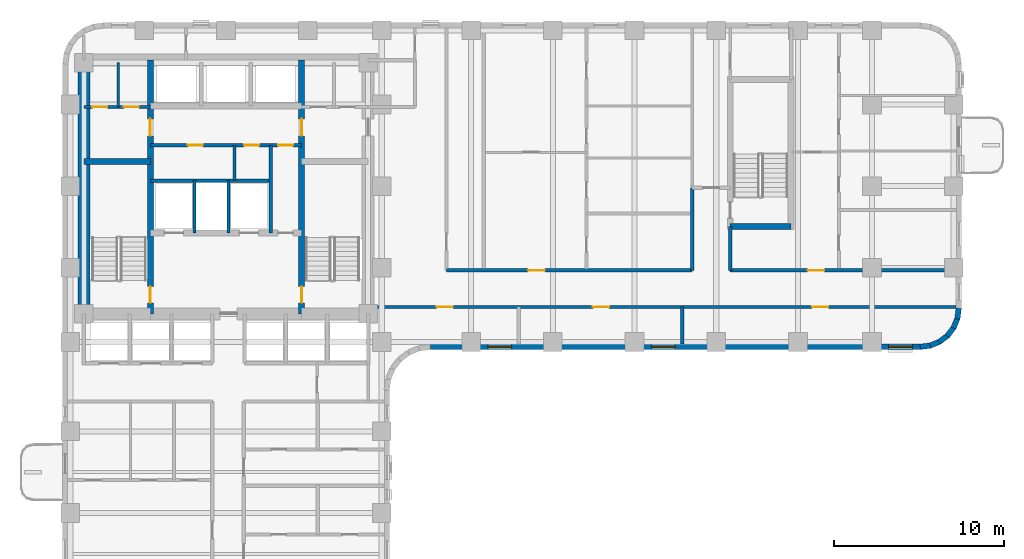
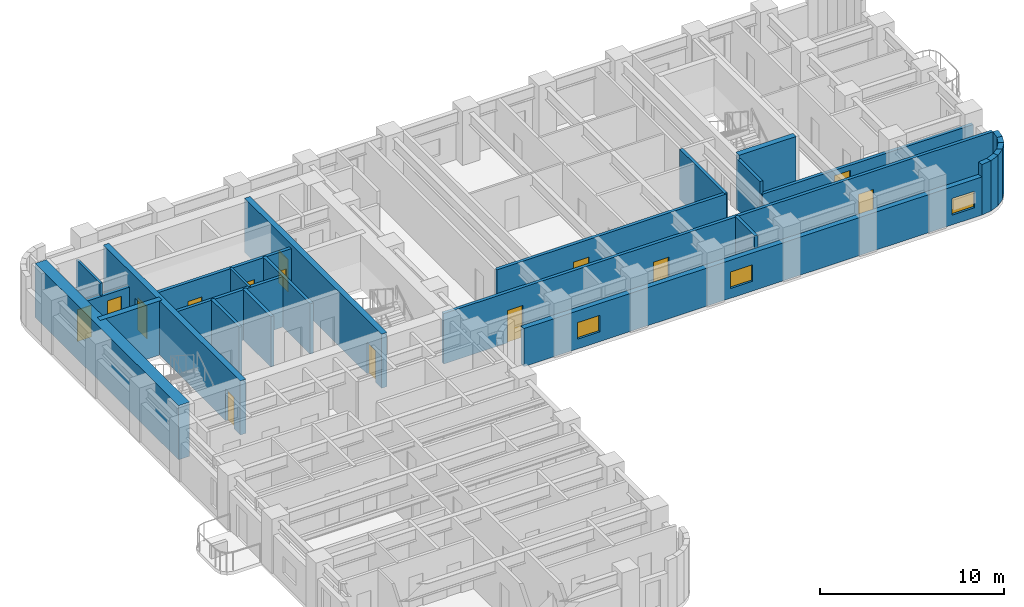
# One storey, part 5 of 12: 26 walls, 14 doors, 3 windows, 17 openings.
"""IFC4 building model written with IfcOpenShell, lengths in metres."""

from ifc_helpers import new_model, si_unit, direction, frame, frame_2d, origin, place, context, subcontext, project, spatial, rectangle, extrude, material, layer, layer_set, type_object, element, fill, save


model = new_model("IFC4")

# Units and contexts
model_context = context("Model", 3, precision=1e-05, world=origin(), true_north=direction((0.0, 1.0)))
body_context = subcontext(model_context, "Body", "Model", "MODEL_VIEW")
ifc_project = project(units=[si_unit("LENGTHUNIT", "METRE"), si_unit("AREAUNIT", "SQUARE_METRE"), si_unit("VOLUMEUNIT", "CUBIC_METRE"), si_unit("PLANEANGLEUNIT", "RADIAN"), si_unit("MASSUNIT", "GRAM", prefix="KILO")], contexts=[model_context])

# Site, building, storey
site_placement = place(None, origin())
site = spatial("IfcSite", under=ifc_project, at=site_placement, CompositionType="ELEMENT")
building_placement = place(site_placement, origin())
building = spatial("IfcBuilding", under=site, at=building_placement, Name="Orvandelia Arch Residences", CompositionType="ELEMENT")
storey_placement = place(building_placement, frame((0.0, 0.0, 57.39990234375)))
storey = spatial("IfcBuildingStorey", under=building, at=storey_placement, Name="L14", CompositionType="ELEMENT", Elevation=57.39990234375)

# Wall, openings, doors
ifc_material_1 = material(Name="Concrete C50/60", Category="concrete")
ifc_layer_1 = layer(ifc_material_1, 0.35009765625, Name="Concrete C50/60", Category="concrete")
ifc_layer_set_1 = layer_set([ifc_layer_1], Name="Concrete C50/60")
wall_type_1 = type_object("IfcWallType", Name="WL-CORE-350", PredefinedType="SHEAR", material=ifc_layer_set_1)
wall_1_placement = place(storey_placement, frame((9.9599609375, 30.89990234375, 0.0), z_axis=(0.0, 0.0, 1.0), x_axis=(0.0, 1.0, 0.0)))
wall_1 = element("IfcWall", 1, at=wall_1_placement, inside=storey, type_object=wall_type_1, Name="Core Shear Wall L14-WEB1", PredefinedType="SHEAR", context=body_context, shape_type="SweptSolid", body=[
    extrude(rectangle(XDim=14.900146484375, YDim=0.35009765625, at=frame_2d((7.4501953125, 0.0))), origin(), (0.0, 0.0, 1.0), 3.60009765625),
])
opening_1_placement = place(wall_1_placement, frame((0.64990234375, 0.0, 0.0)))
opening_1 = element("IfcOpeningElement", 2, at=opening_1_placement, cuts=wall_1, Name="Opening D7", PredefinedType="OPENING", context=body_context, shape_type="SweptSolid", body=[
    extrude(rectangle(XDim=0.949951171875, YDim=2.10009765625, at=frame_2d((0.47509765625, 1.050048828125))), frame((0.0, 0.18505859375, 0.0), z_axis=(0.0, -1.0, 0.0), x_axis=(1.0, 0.0, 0.0)), (0.0, 0.0, 1.0), 0.3701171875),
])
opening_2_placement = place(wall_1_placement, frame((10.449951171875, 0.0, 0.0)))
opening_2 = element("IfcOpeningElement", 3, at=opening_2_placement, cuts=wall_1, Name="Opening D6", PredefinedType="OPENING", context=body_context, shape_type="SweptSolid", body=[
    extrude(rectangle(XDim=1.0, YDim=2.14990234375, at=frame_2d((0.5, 1.074951171875))), frame((0.0, 0.18505859375, 0.0), z_axis=(0.0, -1.0, 0.0), x_axis=(1.0, 0.0, 0.0)), (0.0, 0.0, 1.0), 0.3701171875),
])
ifc_material_2 = material(Name="Smokeproof Painted Steel Fire Door", Category="steel")
door_type_1 = type_object("IfcDoorType", Name="DR-FD60-1000", OperationType="NOTDEFINED", PredefinedType="DOOR", material=ifc_material_2)
door_1_placement = place(opening_2_placement, origin())
door_1 = element("IfcDoor", 4, at=door_1_placement, inside=storey, type_object=door_type_1, Name="High-Rise Lift Hall West Vestibule Door L14", OperationType="SINGLE_SWING_LEFT", OverallHeight=2.14990234375, OverallWidth=1.0, PredefinedType="DOOR", context=body_context, shape_type="SweptSolid", body=[
    extrude(rectangle(XDim=1.0, YDim=2.14990234375, at=frame_2d((0.5, 1.074951171875))), frame((0.0, 0.02490234375, 0.0), z_axis=(0.0, -1.0, 0.0), x_axis=(1.0, 0.0, 0.0)), (0.0, 0.0, 1.0), 0.050048828125),
])
fill(opening_2, door_1)
ifc_material_3 = material(Name="Pressurised Stairwell Fire Door")
door_type_2 = type_object("IfcDoorType", Name="DR-STAIR-950", OperationType="NOTDEFINED", PredefinedType="DOOR", material=ifc_material_3)
door_2_placement = place(opening_1_placement, origin())
door_2 = element("IfcDoor", 5, at=door_2_placement, inside=storey, type_object=door_type_2, Name="Stairwell ST-1 Fire Door L14", OperationType="SINGLE_SWING_LEFT", OverallHeight=2.10009765625, OverallWidth=0.949951171875, PredefinedType="DOOR", context=body_context, shape_type="SweptSolid", body=[
    extrude(rectangle(XDim=0.949951171875, YDim=2.10009765625, at=frame_2d((0.47509765625, 1.050048828125))), frame((0.0, 0.02490234375, 0.0), z_axis=(0.0, -1.0, 0.0), x_axis=(1.0, 0.0, 0.0)), (0.0, 0.0, 1.0), 0.050048828125),
])
fill(opening_1, door_2)

wall_2_placement = place(storey_placement, frame((18.840087890625, 30.89990234375, 0.0), z_axis=(0.0, 0.0, 1.0), x_axis=(0.0, 1.0, 0.0)))
wall_2 = element("IfcWall", 6, at=wall_2_placement, inside=storey, type_object=wall_type_1, Name="Core Shear Wall L14-WEB2", PredefinedType="SHEAR", context=body_context, shape_type="SweptSolid", body=[
    extrude(rectangle(XDim=14.900146484375, YDim=0.35009765625, at=frame_2d((7.4501953125, 0.0))), origin(), (0.0, 0.0, 1.0), 3.60009765625),
])
opening_3_placement = place(wall_2_placement, frame((0.64990234375, 0.0, 0.0)))
opening_3 = element("IfcOpeningElement", 7, at=opening_3_placement, cuts=wall_2, Name="Opening D7", PredefinedType="OPENING", context=body_context, shape_type="SweptSolid", body=[
    extrude(rectangle(XDim=0.949951171875, YDim=2.10009765625, at=frame_2d((0.47509765625, 1.050048828125))), frame((0.0, 0.18505859375, 0.0), z_axis=(0.0, -1.0, 0.0), x_axis=(1.0, 0.0, 0.0)), (0.0, 0.0, 1.0), 0.3701171875),
])
opening_4_placement = place(wall_2_placement, frame((10.449951171875, 0.0, 0.0)))
opening_4 = element("IfcOpeningElement", 8, at=opening_4_placement, cuts=wall_2, Name="Opening D6", PredefinedType="OPENING", context=body_context, shape_type="SweptSolid", body=[
    extrude(rectangle(XDim=1.0, YDim=2.14990234375, at=frame_2d((0.5, 1.074951171875))), frame((0.0, 0.18505859375, 0.0), z_axis=(0.0, -1.0, 0.0), x_axis=(1.0, 0.0, 0.0)), (0.0, 0.0, 1.0), 0.3701171875),
])
door_3_placement = place(opening_4_placement, origin())
door_3 = element("IfcDoor", 9, at=door_3_placement, inside=storey, type_object=door_type_1, Name="High-Rise Lift Hall East Vestibule Door L14", OperationType="SINGLE_SWING_RIGHT", OverallHeight=2.14990234375, OverallWidth=1.0, PredefinedType="DOOR", context=body_context, shape_type="SweptSolid", body=[
    extrude(rectangle(XDim=1.0, YDim=2.14990234375, at=frame_2d((0.5, 1.074951171875))), frame((0.0, 0.02490234375, 0.0), z_axis=(0.0, -1.0, 0.0), x_axis=(1.0, 0.0, 0.0)), (0.0, 0.0, 1.0), 0.050048828125),
])
fill(opening_4, door_3)
door_4_placement = place(opening_3_placement, origin())
door_4 = element("IfcDoor", 10, at=door_4_placement, inside=storey, type_object=door_type_2, Name="Stairwell ST-2 Fire Door L14", OperationType="SINGLE_SWING_RIGHT", OverallHeight=2.10009765625, OverallWidth=0.949951171875, PredefinedType="DOOR", context=body_context, shape_type="SweptSolid", body=[
    extrude(rectangle(XDim=0.949951171875, YDim=2.10009765625, at=frame_2d((0.47509765625, 1.050048828125))), frame((0.0, 0.02490234375, 0.0), z_axis=(0.0, -1.0, 0.0), x_axis=(1.0, 0.0, 0.0)), (0.0, 0.0, 1.0), 0.050048828125),
])
fill(opening_3, door_4)

# Walls
wall_3_placement = place(storey_placement, frame((6.050048828125, 39.85009765625, 0.0), z_axis=(0.0, 0.0, 1.0), x_axis=(1.0, 0.0, 0.0)))
element("IfcWall", 11, at=wall_3_placement, inside=storey, type_object=wall_type_1, Name="Core Shear Wall L14-HZ1", PredefinedType="SHEAR", context=body_context, shape_type="SweptSolid", body=[
    extrude(rectangle(XDim=3.909912109375, YDim=0.35009765625, at=frame_2d((1.955078125, 0.0))), origin(), (0.0, 0.0, 1.0), 3.60009765625),
])
wall_4_placement = place(storey_placement, frame((44.02001953125, 36.0400390625, 0.0), z_axis=(0.0, 0.0, 1.0), x_axis=(1.0, 0.0, 0.0)))
element("IfcWall", 12, at=wall_4_placement, inside=storey, type_object=wall_type_1, Name="East Stair Core Shear Wall L14-S", PredefinedType="SHEAR", context=body_context, shape_type="SweptSolid", body=[
    extrude(rectangle(XDim=3.580078125, YDim=0.35009765625, at=frame_2d((1.7900390625, 0.0))), origin(), (0.0, 0.0, 1.0), 3.60009765625),
])
ifc_material_4 = material(Name="Concrete C80/95", Category="concrete")
ifc_layer_2 = layer(ifc_material_4, 0.699951171875, Name="Concrete C80/95", Category="concrete")
ifc_layer_set_2 = layer_set([ifc_layer_2], Name="Concrete C80/95")
wall_type_2 = type_object("IfcWallType", Name="WL-CORE-700", PredefinedType="SHEAR", material=ifc_layer_set_2)
wall_5_placement = place(storey_placement, frame((6.050048828125, 30.550048828125, 0.0), z_axis=(0.0, 0.0, 1.0), x_axis=(0.0, 1.0, 0.0)))
element("IfcWall", 13, at=wall_5_placement, inside=storey, type_object=wall_type_2, Name="Core Shear Wall L14-W", PredefinedType="SHEAR", context=body_context, shape_type="SweptSolid", body=[
    extrude(rectangle(XDim=15.599853515625, YDim=0.699951171875, at=frame_2d((7.7998046875, 0.0))), origin(), (0.0, 0.0, 1.0), 3.60009765625),
])

# Wall, openings, doors
ifc_material_5 = material(Name="Fire-Rated Corridor Partition")
ifc_layer_3 = layer(ifc_material_5, 0.199951171875, Name="Fire-Rated Corridor Partition")
ifc_layer_set_3 = layer_set([ifc_layer_3], Name="Fire-Rated Corridor Partition")
wall_type_3 = type_object("IfcWallType", Name="WL-CORR-200", PredefinedType="PARTITIONING", material=ifc_layer_set_3)
wall_6_placement = place(storey_placement, frame((22.75, 31.300048828125, 0.0), z_axis=(0.0, 0.0, 1.0), x_axis=(1.0, 0.0, 0.0)))
wall_6 = element("IfcWall", 14, at=wall_6_placement, inside=storey, type_object=wall_type_3, Name="Interior Partition Wall WL-L14-ES-S", PredefinedType="PARTITIONING", context=body_context, shape_type="SweptSolid", body=[
    extrude(rectangle(XDim=34.530029296875, YDim=0.199951171875, at=frame_2d((17.26513671875, 0.0))), origin(), (0.0, 0.0, 1.0), 3.35009765625),
])
opening_5_placement = place(wall_6_placement, frame((4.02490234375, 0.0, 0.0)))
opening_5 = element("IfcOpeningElement", 15, at=opening_5_placement, cuts=wall_6, Name="Opening D2", PredefinedType="OPENING", context=body_context, shape_type="SweptSolid", body=[
    extrude(rectangle(XDim=0.949951171875, YDim=2.14990234375, at=frame_2d((0.47509765625, 1.074951171875))), frame((0.0, 0.10986328125, 0.0), z_axis=(0.0, -1.0, 0.0), x_axis=(1.0, 0.0, 0.0)), (0.0, 0.0, 1.0), 0.219970703125),
])
opening_6_placement = place(wall_6_placement, frame((13.199951171875, 0.0, 0.0)))
opening_6 = element("IfcOpeningElement", 16, at=opening_6_placement, cuts=wall_6, Name="Opening D2", PredefinedType="OPENING", context=body_context, shape_type="SweptSolid", body=[
    extrude(rectangle(XDim=0.949951171875, YDim=2.14990234375, at=frame_2d((0.47509765625, 1.074951171875))), frame((0.0, 0.10986328125, 0.0), z_axis=(0.0, -1.0, 0.0), x_axis=(1.0, 0.0, 0.0)), (0.0, 0.0, 1.0), 0.219970703125),
])
opening_7_placement = place(wall_6_placement, frame((26.080078125, 0.0, 0.0)))
opening_7 = element("IfcOpeningElement", 17, at=opening_7_placement, cuts=wall_6, Name="Opening D2", PredefinedType="OPENING", context=body_context, shape_type="SweptSolid", body=[
    extrude(rectangle(XDim=0.949951171875, YDim=2.14990234375, at=frame_2d((0.47509765625, 1.074951171875))), frame((0.0, 0.10986328125, 0.0), z_axis=(0.0, -1.0, 0.0), x_axis=(1.0, 0.0, 0.0)), (0.0, 0.0, 1.0), 0.219970703125),
])
ifc_material_6 = material(Name="Solid-Core Timber Interior Fire Door", Category="wood")
door_type_3 = type_object("IfcDoorType", Name="DR-APT-950", OperationType="NOTDEFINED", PredefinedType="DOOR", material=ifc_material_6)
door_5_placement = place(opening_5_placement, origin())
door_5 = element("IfcDoor", 18, at=door_5_placement, inside=storey, type_object=door_type_3, Name="DR-L14-ESS-1", OperationType="SINGLE_SWING_LEFT", OverallHeight=2.14990234375, OverallWidth=0.949951171875, PredefinedType="DOOR", context=body_context, shape_type="SweptSolid", body=[
    extrude(rectangle(XDim=0.949951171875, YDim=2.14990234375, at=frame_2d((0.47509765625, 1.074951171875))), frame((0.0, 0.02490234375, 0.0), z_axis=(0.0, -1.0, 0.0), x_axis=(1.0, 0.0, 0.0)), (0.0, 0.0, 1.0), 0.050048828125),
])
fill(opening_5, door_5)
door_6_placement = place(opening_6_placement, origin())
door_6 = element("IfcDoor", 19, at=door_6_placement, inside=storey, type_object=door_type_3, Name="DR-L14-ESS-2", OperationType="SINGLE_SWING_RIGHT", OverallHeight=2.14990234375, OverallWidth=0.949951171875, PredefinedType="DOOR", context=body_context, shape_type="SweptSolid", body=[
    extrude(rectangle(XDim=0.949951171875, YDim=2.14990234375, at=frame_2d((0.47509765625, 1.074951171875))), frame((0.0, 0.02490234375, 0.0), z_axis=(0.0, -1.0, 0.0), x_axis=(1.0, 0.0, 0.0)), (0.0, 0.0, 1.0), 0.050048828125),
])
fill(opening_6, door_6)
door_7_placement = place(opening_7_placement, origin())
door_7 = element("IfcDoor", 20, at=door_7_placement, inside=storey, type_object=door_type_3, Name="DR-L14-ESS-3", OperationType="SINGLE_SWING_LEFT", OverallHeight=2.14990234375, OverallWidth=0.949951171875, PredefinedType="DOOR", context=body_context, shape_type="SweptSolid", body=[
    extrude(rectangle(XDim=0.949951171875, YDim=2.14990234375, at=frame_2d((0.47509765625, 1.074951171875))), frame((0.0, 0.02490234375, 0.0), z_axis=(0.0, -1.0, 0.0), x_axis=(1.0, 0.0, 0.0)), (0.0, 0.0, 1.0), 0.050048828125),
])
fill(opening_7, door_7)

# Wall, opening, door
wall_7_placement = place(storey_placement, frame((27.35009765625, 33.449951171875, 0.0), z_axis=(0.0, 0.0, 1.0), x_axis=(1.0, 0.0, 0.0)))
wall_7 = element("IfcWall", 21, at=wall_7_placement, inside=storey, type_object=wall_type_3, Name="Interior Partition Wall WL-L14-ES-N1", PredefinedType="PARTITIONING", context=body_context, shape_type="SweptSolid", body=[
    extrude(rectangle(XDim=14.429931640625, YDim=0.199951171875, at=frame_2d((7.21484375, 0.0))), origin(), (0.0, 0.0, 1.0), 3.35009765625),
])
opening_8_placement = place(wall_7_placement, frame((4.803466796875, 0.0, 0.0)))
opening_8 = element("IfcOpeningElement", 22, at=opening_8_placement, cuts=wall_7, Name="Opening D1", PredefinedType="OPENING", context=body_context, shape_type="SweptSolid", body=[
    extrude(rectangle(XDim=0.97998046875, YDim=2.179931640625, at=frame_2d((0.489990234375, 1.08984375))), frame((0.0, 0.10986328125, 0.0), z_axis=(0.0, -1.0, 0.0), x_axis=(1.0, 0.0, 0.0)), (0.0, 0.0, 1.0), 0.219970703125),
])
ifc_material_7 = material(Name="Solid-Core Timber Acoustic Fire Door", Category="wood")
door_type_4 = type_object("IfcDoorType", Name="DR-ENT-980", OperationType="NOTDEFINED", PredefinedType="DOOR", material=ifc_material_7)
door_8_placement = place(opening_8_placement, origin())
door_8 = element("IfcDoor", 23, at=door_8_placement, inside=storey, type_object=door_type_4, Name="Unit L14-07 Entrance Door", OperationType="SINGLE_SWING_LEFT", OverallHeight=2.179931640625, OverallWidth=0.97998046875, PredefinedType="DOOR", context=body_context, shape_type="SweptSolid", body=[
    extrude(rectangle(XDim=0.97998046875, YDim=2.179931640625, at=frame_2d((0.489990234375, 1.08984375))), frame((0.0, 0.02490234375, 0.0), z_axis=(0.0, -1.0, 0.0), x_axis=(1.0, 0.0, 0.0)), (0.0, 0.0, 1.0), 0.050048828125),
])
fill(opening_8, door_8)

wall_8_placement = place(storey_placement, frame((44.02001953125, 33.449951171875, 0.0), z_axis=(0.0, 0.0, 1.0), x_axis=(1.0, 0.0, 0.0)))
wall_8 = element("IfcWall", 24, at=wall_8_placement, inside=storey, type_object=wall_type_3, Name="Interior Partition Wall WL-L14-ES-N2", PredefinedType="PARTITIONING", context=body_context, shape_type="SweptSolid", body=[
    extrude(rectangle(XDim=13.260009765625, YDim=0.199951171875, at=frame_2d((6.6298828125, 0.0))), origin(), (0.0, 0.0, 1.0), 2.530029296875),
])
opening_9_placement = place(wall_8_placement, frame((4.548583984375, 0.0, 0.0)))
opening_9 = element("IfcOpeningElement", 25, at=opening_9_placement, cuts=wall_8, Name="Opening D1", PredefinedType="OPENING", context=body_context, shape_type="SweptSolid", body=[
    extrude(rectangle(XDim=0.97998046875, YDim=2.179931640625, at=frame_2d((0.489990234375, 1.08984375))), frame((0.0, 0.10986328125, 0.0), z_axis=(0.0, -1.0, 0.0), x_axis=(1.0, 0.0, 0.0)), (0.0, 0.0, 1.0), 0.219970703125),
])
door_9_placement = place(opening_9_placement, origin())
door_9 = element("IfcDoor", 26, at=door_9_placement, inside=storey, type_object=door_type_4, Name="Unit L14-08 Entrance Door", OperationType="SINGLE_SWING_RIGHT", OverallHeight=2.179931640625, OverallWidth=0.97998046875, PredefinedType="DOOR", context=body_context, shape_type="SweptSolid", body=[
    extrude(rectangle(XDim=0.97998046875, YDim=2.179931640625, at=frame_2d((0.489990234375, 1.08984375))), frame((0.0, 0.02490234375, 0.0), z_axis=(0.0, -1.0, 0.0), x_axis=(1.0, 0.0, 0.0)), (0.0, 0.0, 1.0), 0.050048828125),
])
fill(opening_9, door_9)

# Walls
wall_9_placement = place(storey_placement, frame((41.780029296875, 33.449951171875, 0.0), z_axis=(0.0, 0.0, 1.0), x_axis=(0.0, 1.0, 0.0)))
element("IfcWall", 27, at=wall_9_placement, inside=storey, type_object=wall_type_3, Name="Interior Partition Wall WL-L14-ES-SW", PredefinedType="PARTITIONING", context=body_context, shape_type="SweptSolid", body=[
    extrude(rectangle(XDim=4.85009765625, YDim=0.199951171875, at=frame_2d((2.425048828125, 0.0))), origin(), (0.0, 0.0, 1.0), 3.35009765625),
])
ifc_material_8 = material(Name="Concrete C40/50", Category="concrete")
ifc_layer_4 = layer(ifc_material_8, 0.199951171875, Name="Concrete C40/50", Category="concrete")
ifc_layer_set_4 = layer_set([ifc_layer_4], Name="Concrete C40/50")
wall_type_4 = type_object("IfcWallType", Name="WL-DEM-200", PredefinedType="SOLIDWALL", material=ifc_layer_set_4)
wall_10_placement = place(storey_placement, frame((41.199951171875, 29.1201171875, 0.0), z_axis=(0.0, 0.0, 1.0), x_axis=(0.0, 1.0, 0.0)))
element("IfcWall", 28, at=wall_10_placement, inside=storey, type_object=wall_type_4, Name="Interior Partition Wall WL-L14-ESSD-2", PredefinedType="SOLIDWALL", context=body_context, shape_type="SweptSolid", body=[
    extrude(rectangle(XDim=2.179931640625, YDim=0.199951171875, at=frame_2d((1.08984375, 0.0))), origin(), (0.0, 0.0, 1.0), 3.35009765625),
])
wall_11_placement = place(storey_placement, frame((44.02001953125, 33.449951171875, 0.0), z_axis=(0.0, 0.0, 1.0), x_axis=(0.0, 1.0, 0.0)))
element("IfcWall", 29, at=wall_11_placement, inside=storey, type_object=wall_type_4, Name="Interior Partition Wall WL-L14-ES-NST3S", PredefinedType="SOLIDWALL", context=body_context, shape_type="SweptSolid", body=[
    extrude(rectangle(XDim=2.590087890625, YDim=0.199951171875, at=frame_2d((1.294921875, 0.0))), origin(), (0.0, 0.0, 1.0), 3.35009765625),
])
ifc_material_9 = material(Name="Precast concrete C40/50", Category="concrete")
ifc_layer_5 = layer(ifc_material_9, 0.320068359375, Name="Precast concrete C40/50", Category="concrete")
ifc_layer_set_5 = layer_set([ifc_layer_5], Name="Precast concrete C40/50")
wall_type_5 = type_object("IfcWallType", Name="WL-EXT-STONE-320", PredefinedType="STANDARD", material=ifc_layer_set_5)
wall_12_placement = place(storey_placement, frame((57.44140625, 31.220947265625, 0.0), z_axis=(0.0, 0.0, 1.0), x_axis=(-0.130504898859, -0.991447664465, 0.0)))
element("IfcWall", 30, at=wall_12_placement, inside=storey, type_object=wall_type_5, Name="Coral-Limestone Precast Facade Wall L14-015", PredefinedType="STANDARD", context=body_context, shape_type="SweptSolid", body=[
    extrude(rectangle(XDim=0.626708984375, YDim=0.320068359375, at=frame_2d((0.3134765625, 0.0))), origin(), (0.0, 0.0, 1.0), 3.35009765625),
])
wall_13_placement = place(storey_placement, frame((57.370361328125, 30.639892578125, 0.0), z_axis=(0.0, 0.0, 1.0), x_axis=(-0.382787856107, -0.923836271867, 0.0)))
element("IfcWall", 31, at=wall_13_placement, inside=storey, type_object=wall_type_5, Name="Coral-Limestone Precast Facade Wall L14-016", PredefinedType="STANDARD", context=body_context, shape_type="SweptSolid", body=[
    extrude(rectangle(XDim=0.626220703125, YDim=0.320068359375, at=frame_2d((0.31298828125, 0.0))), origin(), (0.0, 0.0, 1.0), 3.35009765625),
])
wall_14_placement = place(storey_placement, frame((57.151611328125, 30.097412109375, 0.0), z_axis=(0.0, 0.0, 1.0), x_axis=(-0.608693302629, -0.793405610854, 0.0)))
element("IfcWall", 32, at=wall_14_placement, inside=storey, type_object=wall_type_5, Name="Coral-Limestone Precast Facade Wall L14-017", PredefinedType="STANDARD", context=body_context, shape_type="SweptSolid", body=[
    extrude(rectangle(XDim=0.62646484375, YDim=0.320068359375, at=frame_2d((0.313232421875, 0.0))), origin(), (0.0, 0.0, 1.0), 3.35009765625),
])
wall_15_placement = place(storey_placement, frame((56.7998046875, 29.6298828125, 0.0), z_axis=(0.0, 0.0, 1.0), x_axis=(-0.793361818833, -0.608750379399, 0.0)))
element("IfcWall", 33, at=wall_15_placement, inside=storey, type_object=wall_type_5, Name="Coral-Limestone Precast Facade Wall L14-018", PredefinedType="STANDARD", context=body_context, shape_type="SweptSolid", body=[
    extrude(rectangle(XDim=0.626953125, YDim=0.320068359375, at=frame_2d((0.3134765625, 0.0))), origin(), (0.0, 0.0, 1.0), 3.35009765625),
])
for number, where, z_axis, x_axis, name in (
    (34, (56.3388671875, 29.269287109375, 0.0), (0.0, 0.0, 1.0), (-0.92389335771, -0.382650053678, 0.0), "Coral-Limestone Precast Facade Wall L14-019"),
    (35, (55.80029296875, 29.040283203125, 0.0), (0.0, 0.0, 1.0), (-0.9914410257, -0.130555323746, 0.0), "Coral-Limestone Precast Facade Wall L14-020"),
):
    element("IfcWall", number, at=place(storey_placement, frame(where, z_axis=z_axis, x_axis=x_axis)), inside=storey, type_object=wall_type_5, Name=name, PredefinedType="STANDARD", context=body_context, shape_type="SweptSolid", body=[
        extrude(rectangle(XDim=0.62646484375, YDim=0.320068359375, at=frame_2d((0.313232421875, 0.0))), origin(), (0.0, 0.0, 1.0), 3.35009765625),
    ])

# Wall, openings, windows
wall_16_placement = place(storey_placement, frame((55.199951171875, 28.9599609375, 0.0), z_axis=(0.0, 0.0, 1.0), x_axis=(-1.0, 0.0, 0.0)))
wall_16 = element("IfcWall", 36, at=wall_16_placement, inside=storey, type_object=wall_type_5, Name="Coral-Limestone Precast Facade Wall L14-021", PredefinedType="STANDARD", context=body_context, shape_type="SweptSolid", body=[
    extrude(rectangle(XDim=28.800048828125, YDim=0.320068359375, at=frame_2d((14.39990234375, 0.0))), origin(), (0.0, 0.0, 1.0), 2.530029296875),
])
opening_10_placement = place(wall_16_placement, frame((24.014892578125, 0.0, 0.64990234375)))
opening_10 = element("IfcOpeningElement", 37, at=opening_10_placement, cuts=wall_16, Name="Opening W10", PredefinedType="OPENING", context=body_context, shape_type="SweptSolid", body=[
    extrude(rectangle(XDim=1.39990234375, YDim=1.10009765625, at=frame_2d((0.699951171875, 0.550048828125))), frame((0.0, 0.169921875, 0.0), z_axis=(0.0, -1.0, 0.0), x_axis=(1.0, 0.0, 0.0)), (0.0, 0.0, 1.0), 0.340087890625),
])
opening_11_placement = place(wall_16_placement, frame((14.4150390625, 0.0, 0.64990234375)))
opening_11 = element("IfcOpeningElement", 38, at=opening_11_placement, cuts=wall_16, Name="Opening W10", PredefinedType="OPENING", context=body_context, shape_type="SweptSolid", body=[
    extrude(rectangle(XDim=1.39990234375, YDim=1.10009765625, at=frame_2d((0.699951171875, 0.550048828125))), frame((0.0, 0.169921875, 0.0), z_axis=(0.0, -1.0, 0.0), x_axis=(1.0, 0.0, 0.0)), (0.0, 0.0, 1.0), 0.340087890625),
])
opening_12_placement = place(wall_16_placement, frame((0.469970703125, 0.0, 0.64990234375)))
opening_12 = element("IfcOpeningElement", 39, at=opening_12_placement, cuts=wall_16, Name="Opening W10", PredefinedType="OPENING", context=body_context, shape_type="SweptSolid", body=[
    extrude(rectangle(XDim=1.39990234375, YDim=1.10009765625, at=frame_2d((0.699951171875, 0.550048828125))), frame((0.0, 0.169921875, 0.0), z_axis=(0.0, -1.0, 0.0), x_axis=(1.0, 0.0, 0.0)), (0.0, 0.0, 1.0), 0.340087890625),
])
ifc_material_10 = material(Name="Tempered Low-E Insulated Glazing", Category="glass")
window_type = type_object("IfcWindowType", Name="WIN-CLR-1400x1100", PartitioningType="SINGLE_PANEL", PredefinedType="WINDOW", material=ifc_material_10)
window_1_placement = place(opening_10_placement, origin())
window_1 = element("IfcWindow", 40, at=window_1_placement, inside=storey, type_object=window_type, Name="Recessed Punched Window L14-013", OverallHeight=1.10009765625, OverallWidth=1.39990234375, PartitioningType="SINGLE_PANEL", PredefinedType="WINDOW", context=body_context, shape_type="SweptSolid", body=[
    extrude(rectangle(XDim=1.39990234375, YDim=1.10009765625, at=frame_2d((0.699951171875, 0.550048828125))), frame((0.0, 0.030029296875, 0.0), z_axis=(0.0, -1.0, 0.0), x_axis=(1.0, 0.0, 0.0)), (0.0, 0.0, 1.0), 0.06005859375),
])
fill(opening_10, window_1)
window_2_placement = place(opening_11_placement, origin())
window_2 = element("IfcWindow", 41, at=window_2_placement, inside=storey, type_object=window_type, Name="Recessed Punched Window L14-014", OverallHeight=1.10009765625, OverallWidth=1.39990234375, PartitioningType="SINGLE_PANEL", PredefinedType="WINDOW", context=body_context, shape_type="SweptSolid", body=[
    extrude(rectangle(XDim=1.39990234375, YDim=1.10009765625, at=frame_2d((0.699951171875, 0.550048828125))), frame((0.0, 0.030029296875, 0.0), z_axis=(0.0, -1.0, 0.0), x_axis=(1.0, 0.0, 0.0)), (0.0, 0.0, 1.0), 0.06005859375),
])
fill(opening_11, window_2)
window_3_placement = place(opening_12_placement, origin())
window_3 = element("IfcWindow", 42, at=window_3_placement, inside=storey, type_object=window_type, Name="Recessed Punched Window L14-015", OverallHeight=1.10009765625, OverallWidth=1.39990234375, PartitioningType="SINGLE_PANEL", PredefinedType="WINDOW", context=body_context, shape_type="SweptSolid", body=[
    extrude(rectangle(XDim=1.39990234375, YDim=1.10009765625, at=frame_2d((0.699951171875, 0.550048828125))), frame((0.0, 0.030029296875, 0.0), z_axis=(0.0, -1.0, 0.0), x_axis=(1.0, 0.0, 0.0)), (0.0, 0.0, 1.0), 0.06005859375),
])
fill(opening_12, window_3)

# Walls
ifc_material_11 = material(Name="Acoustic Gypsum Stud Partition")
ifc_layer_6 = layer(ifc_material_11, 0.14990234375, Name="Acoustic Gypsum Stud Partition")
ifc_layer_set_6 = layer_set([ifc_layer_6], Name="Acoustic Gypsum Stud Partition")
wall_type_6 = type_object("IfcWallType", Name="WL-PART-150", PredefinedType="PARTITIONING", material=ifc_layer_set_6)
wall_17_placement = place(storey_placement, frame((8.06005859375, 43.050048828125, 0.0), z_axis=(0.0, 0.0, 1.0), x_axis=(0.0, 1.0, 0.0)))
element("IfcWall", 43, at=wall_17_placement, inside=storey, type_object=wall_type_6, Name="Interior Partition Wall WL-L14-CRELC-M", PredefinedType="PARTITIONING", context=body_context, shape_type="SweptSolid", body=[
    extrude(rectangle(XDim=2.599853515625, YDim=0.14990234375, at=frame_2d((1.2998046875, 0.0))), origin(), (0.0, 0.0, 1.0), 3.35009765625),
])
wall_18_placement = place(storey_placement, frame((14.89990234375, 38.719970703125, 0.0), z_axis=(0.0, 0.0, 1.0), x_axis=(0.0, 1.0, 0.0)))
element("IfcWall", 44, at=wall_18_placement, inside=storey, type_object=wall_type_6, Name="Interior Partition Wall WL-L14-CSA-1", PredefinedType="PARTITIONING", context=body_context, shape_type="SweptSolid", body=[
    extrude(rectangle(XDim=2.080078125, YDim=0.14990234375, at=frame_2d((1.0400390625, 0.0))), origin(), (0.0, 0.0, 1.0), 3.35009765625),
])
ifc_material_12 = material(Name="Fire-Rated Shaft Enclosure Wall")
ifc_layer_7 = layer(ifc_material_12, 0.199951171875, Name="Fire-Rated Shaft Enclosure Wall")
ifc_layer_set_7 = layer_set([ifc_layer_7], Name="Fire-Rated Shaft Enclosure Wall")
wall_type_7 = type_object("IfcWallType", Name="WL-SHAFT-200", PredefinedType="POLYGONAL", material=ifc_layer_set_7)
wall_19_placement = place(storey_placement, frame((9.9599609375, 38.719970703125, 0.0), z_axis=(0.0, 0.0, 1.0), x_axis=(1.0, 0.0, 0.0)))
element("IfcWall", 45, at=wall_19_placement, inside=storey, type_object=wall_type_7, Name="Interior Partition Wall WL-L14-FLN", PredefinedType="POLYGONAL", context=body_context, shape_type="SweptSolid", body=[
    extrude(rectangle(XDim=7.06005859375, YDim=0.199951171875, at=frame_2d((3.530029296875, 0.0))), origin(), (0.0, 0.0, 1.0), 3.35009765625),
])
for number, where, z_axis, x_axis, name in (
    (46, (12.550048828125, 35.64990234375, 0.0), (0.0, 0.0, 1.0), (0.0, 1.0, 0.0), "Interior Partition Wall WL-L14-FLM1"),
    (47, (14.550048828125, 35.64990234375, 0.0), (0.0, 0.0, 1.0), (0.0, 1.0, 0.0), "Interior Partition Wall WL-L14-FLM2"),
):
    element("IfcWall", number, at=place(storey_placement, frame(where, z_axis=z_axis, x_axis=x_axis)), inside=storey, type_object=wall_type_7, Name=name, PredefinedType="POLYGONAL", context=body_context, shape_type="SweptSolid", body=[
        extrude(rectangle(XDim=3.070068359375, YDim=0.199951171875, at=frame_2d((1.53515625, 0.0))), origin(), (0.0, 0.0, 1.0), 3.35009765625),
    ])
wall_20_placement = place(storey_placement, frame((17.02001953125, 35.64990234375, 0.0), z_axis=(0.0, 0.0, 1.0), x_axis=(0.0, 1.0, 0.0)))
element("IfcWall", 48, at=wall_20_placement, inside=storey, type_object=wall_type_7, Name="Interior Partition Wall WL-L14-FLM3", PredefinedType="POLYGONAL", context=body_context, shape_type="SweptSolid", body=[
    extrude(rectangle(XDim=5.150146484375, YDim=0.199951171875, at=frame_2d((2.5751953125, 0.0))), origin(), (0.0, 0.0, 1.0), 3.35009765625),
])

# Wall, openings, doors
wall_21_placement = place(storey_placement, frame((9.9599609375, 40.800048828125, 0.0), z_axis=(0.0, 0.0, 1.0), x_axis=(1.0, 0.0, 0.0)))
wall_21 = element("IfcWall", 49, at=wall_21_placement, inside=storey, type_object=wall_type_7, Name="Interior Partition Wall WL-L14-HLH-S", PredefinedType="POLYGONAL", context=body_context, shape_type="SweptSolid", body=[
    extrude(rectangle(XDim=8.880126953125, YDim=0.199951171875, at=frame_2d((4.43994140625, 0.0))), origin(), (0.0, 0.0, 1.0), 3.35009765625),
])
opening_13_placement = place(wall_21_placement, frame((7.5, 0.0, 0.0)))
opening_13 = element("IfcOpeningElement", 50, at=opening_13_placement, cuts=wall_21, Name="Opening D5", PredefinedType="OPENING", context=body_context, shape_type="SweptSolid", body=[
    extrude(rectangle(XDim=0.8798828125, YDim=2.10009765625, at=frame_2d((0.43994140625, 1.050048828125))), frame((0.0, 0.10986328125, 0.0), z_axis=(0.0, -1.0, 0.0), x_axis=(1.0, 0.0, 0.0)), (0.0, 0.0, 1.0), 0.219970703125),
])
opening_14_placement = place(wall_21_placement, frame((2.199951171875, 0.0, 0.0)))
opening_14 = element("IfcOpeningElement", 51, at=opening_14_placement, cuts=wall_21, Name="Opening D5", PredefinedType="OPENING", context=body_context, shape_type="SweptSolid", body=[
    extrude(rectangle(XDim=0.8798828125, YDim=2.10009765625, at=frame_2d((0.43994140625, 1.050048828125))), frame((0.0, 0.10986328125, 0.0), z_axis=(0.0, -1.0, 0.0), x_axis=(1.0, 0.0, 0.0)), (0.0, 0.0, 1.0), 0.219970703125),
])
opening_15_placement = place(wall_21_placement, frame((5.5, 0.0, 0.0)))
opening_15 = element("IfcOpeningElement", 52, at=opening_15_placement, cuts=wall_21, Name="Opening D5", PredefinedType="OPENING", context=body_context, shape_type="SweptSolid", body=[
    extrude(rectangle(XDim=0.8798828125, YDim=2.10009765625, at=frame_2d((0.43994140625, 1.050048828125))), frame((0.0, 0.10986328125, 0.0), z_axis=(0.0, -1.0, 0.0), x_axis=(1.0, 0.0, 0.0)), (0.0, 0.0, 1.0), 0.219970703125),
])
ifc_material_13 = material(Name="Painted Galvanised Steel Service Door", Category="steel")
door_type_5 = type_object("IfcDoorType", Name="DR-SRV-880", OperationType="NOTDEFINED", PredefinedType="DOOR", material=ifc_material_13)
door_10_placement = place(opening_13_placement, origin())
door_10 = element("IfcDoor", 53, at=door_10_placement, inside=storey, type_object=door_type_5, Name="Core Stairway Passage North Fire Door L14", OperationType="SINGLE_SWING_RIGHT", OverallHeight=2.10009765625, OverallWidth=0.8798828125, PredefinedType="DOOR", context=body_context, shape_type="SweptSolid", body=[
    extrude(rectangle(XDim=0.8798828125, YDim=2.10009765625, at=frame_2d((0.43994140625, 1.050048828125))), frame((0.0, 0.02490234375, 0.0), z_axis=(0.0, -1.0, 0.0), x_axis=(1.0, 0.0, 0.0)), (0.0, 0.0, 1.0), 0.050048828125),
])
fill(opening_13, door_10)
door_11_placement = place(opening_14_placement, origin())
door_11 = element("IfcDoor", 54, at=door_11_placement, inside=storey, type_object=door_type_5, Name="DR-L14-CSA1", OperationType="SINGLE_SWING_RIGHT", OverallHeight=2.10009765625, OverallWidth=0.8798828125, PredefinedType="DOOR", context=body_context, shape_type="SweptSolid", body=[
    extrude(rectangle(XDim=0.8798828125, YDim=2.10009765625, at=frame_2d((0.43994140625, 1.050048828125))), frame((0.0, 0.02490234375, 0.0), z_axis=(0.0, -1.0, 0.0), x_axis=(1.0, 0.0, 0.0)), (0.0, 0.0, 1.0), 0.050048828125),
])
fill(opening_14, door_11)
door_12_placement = place(opening_15_placement, origin())
door_12 = element("IfcDoor", 55, at=door_12_placement, inside=storey, type_object=door_type_5, Name="DR-L14-CSA2", OperationType="SINGLE_SWING_LEFT", OverallHeight=2.10009765625, OverallWidth=0.8798828125, PredefinedType="DOOR", context=body_context, shape_type="SweptSolid", body=[
    extrude(rectangle(XDim=0.8798828125, YDim=2.10009765625, at=frame_2d((0.43994140625, 1.050048828125))), frame((0.0, 0.02490234375, 0.0), z_axis=(0.0, -1.0, 0.0), x_axis=(1.0, 0.0, 0.0)), (0.0, 0.0, 1.0), 0.050048828125),
])
fill(opening_15, door_12)

wall_22_placement = place(storey_placement, frame((6.050048828125, 43.050048828125, 0.0), z_axis=(0.0, 0.0, 1.0), x_axis=(1.0, 0.0, 0.0)))
wall_22 = element("IfcWall", 56, at=wall_22_placement, inside=storey, type_object=wall_type_7, Name="Interior Partition Wall WL-L14-HLW-N", PredefinedType="POLYGONAL", context=body_context, shape_type="SweptSolid", body=[
    extrude(rectangle(XDim=3.909912109375, YDim=0.199951171875, at=frame_2d((1.955078125, 0.0))), origin(), (0.0, 0.0, 1.0), 2.530029296875),
])
opening_16_placement = place(wall_22_placement, frame((0.5, 0.0, 0.0)))
opening_16 = element("IfcOpeningElement", 57, at=opening_16_placement, cuts=wall_22, Name="Opening D5", PredefinedType="OPENING", context=body_context, shape_type="SweptSolid", body=[
    extrude(rectangle(XDim=0.8798828125, YDim=2.10009765625, at=frame_2d((0.43994140625, 1.050048828125))), frame((0.0, 0.10986328125, 0.0), z_axis=(0.0, -1.0, 0.0), x_axis=(1.0, 0.0, 0.0)), (0.0, 0.0, 1.0), 0.219970703125),
])
opening_17_placement = place(wall_22_placement, frame((2.35009765625, 0.0, 0.0)))
opening_17 = element("IfcOpeningElement", 58, at=opening_17_placement, cuts=wall_22, Name="Opening D5", PredefinedType="OPENING", context=body_context, shape_type="SweptSolid", body=[
    extrude(rectangle(XDim=0.8798828125, YDim=2.10009765625, at=frame_2d((0.43994140625, 1.050048828125))), frame((0.0, 0.10986328125, 0.0), z_axis=(0.0, -1.0, 0.0), x_axis=(1.0, 0.0, 0.0)), (0.0, 0.0, 1.0), 0.219970703125),
])
door_13_placement = place(opening_16_placement, origin())
door_13 = element("IfcDoor", 59, at=door_13_placement, inside=storey, type_object=door_type_5, Name="DR-L14-CRELC1", OperationType="SINGLE_SWING_LEFT", OverallHeight=2.10009765625, OverallWidth=0.8798828125, PredefinedType="DOOR", context=body_context, shape_type="SweptSolid", body=[
    extrude(rectangle(XDim=0.8798828125, YDim=2.10009765625, at=frame_2d((0.43994140625, 1.050048828125))), frame((0.0, 0.02490234375, 0.0), z_axis=(0.0, -1.0, 0.0), x_axis=(1.0, 0.0, 0.0)), (0.0, 0.0, 1.0), 0.050048828125),
])
fill(opening_16, door_13)
door_14_placement = place(opening_17_placement, origin())
door_14 = element("IfcDoor", 60, at=door_14_placement, inside=storey, type_object=door_type_5, Name="DR-L14-CRELC2", OperationType="SINGLE_SWING_RIGHT", OverallHeight=2.10009765625, OverallWidth=0.8798828125, PredefinedType="DOOR", context=body_context, shape_type="SweptSolid", body=[
    extrude(rectangle(XDim=0.8798828125, YDim=2.10009765625, at=frame_2d((0.43994140625, 1.050048828125))), frame((0.0, 0.02490234375, 0.0), z_axis=(0.0, -1.0, 0.0), x_axis=(1.0, 0.0, 0.0)), (0.0, 0.0, 1.0), 0.050048828125),
])
fill(opening_17, door_14)

save(model, "model.ifc")
